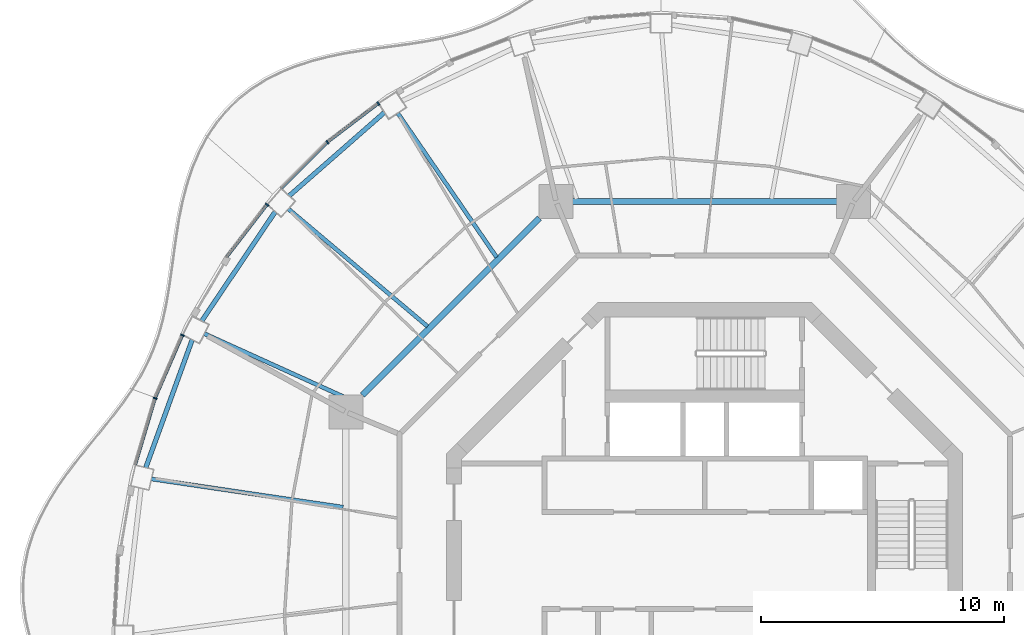
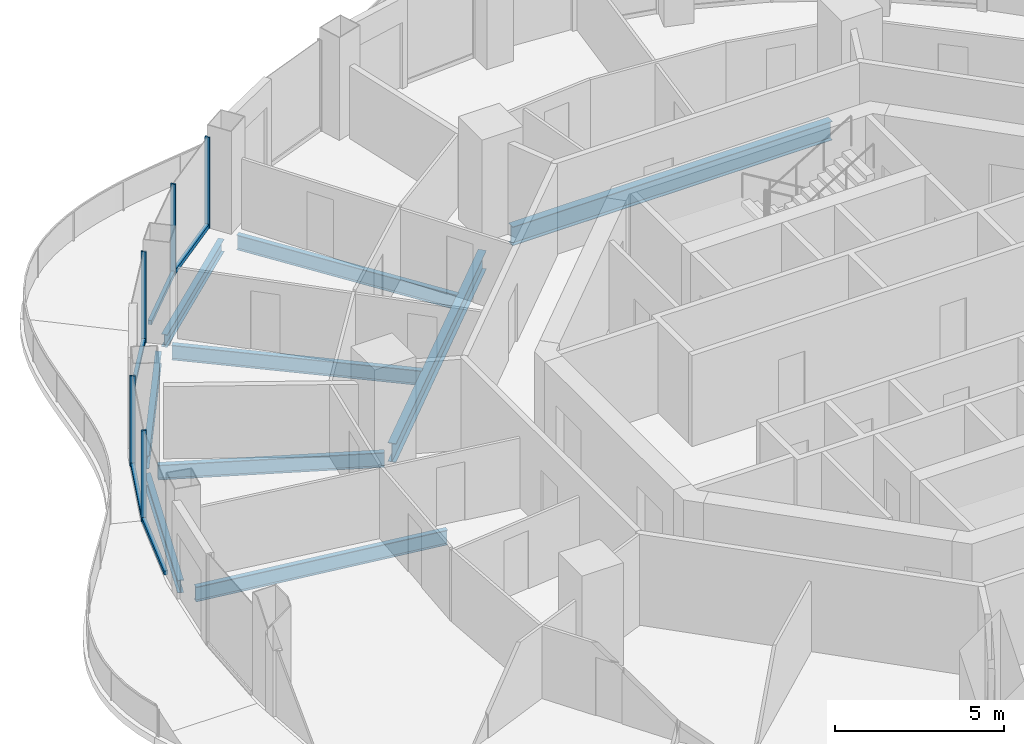
# One storey, part 5 of 17: 10 members, 9 beams, 5 elements without a shape of their own.
"""IFC4 building model written with IfcOpenShell, lengths in metres."""

from ifc_helpers import new_model, si_unit, direction, frame, origin, origin_2d, place, context, subcontext, project, spatial, rectangle, i_section, extrude, material, layer, layer_set, material_profile, profile_set, type_object, element, aggregate, save


model = new_model("IFC4")

# Units and contexts
model_context = context("Model", 3, precision=1e-05, world=origin(), true_north=direction((0.0, 1.0)))
body_context = subcontext(model_context, "Body", "Model", "MODEL_VIEW")
ifc_project = project(units=[si_unit("LENGTHUNIT", "METRE"), si_unit("AREAUNIT", "SQUARE_METRE"), si_unit("VOLUMEUNIT", "CUBIC_METRE"), si_unit("PLANEANGLEUNIT", "RADIAN"), si_unit("MASSUNIT", "GRAM", prefix="KILO")], contexts=[model_context])

# Site, building, storey
site_placement = place(None, origin())
site = spatial("IfcSite", under=ifc_project, at=site_placement, CompositionType="ELEMENT")
building_placement = place(site_placement, origin())
building = spatial("IfcBuilding", under=site, at=building_placement, Name="Nagisa Residences", CompositionType="ELEMENT")
storey_placement = place(building_placement, frame((0.0, 0.0, 295.5)))
storey = spatial("IfcBuildingStorey", under=building, at=storey_placement, Name="L75", CompositionType="ELEMENT", Elevation=295.5)

# Curtain wall, member
ifc_material_1 = material(Name="Concrete-coloured aluminium curtain wall system", Category="concrete")
ifc_layer = layer(ifc_material_1, 0.159912109375)
ifc_layer_set = layer_set([ifc_layer], Name="CW1 CURTAIN WALL")
curtain_wall_type = type_object("IfcCurtainWallType", Name="CW1 CURTAIN WALL", PredefinedType="NOTDEFINED", material=ifc_layer_set)
curtain_wall_1_placement = place(storey_placement, origin())
curtain_wall_1 = element("IfcCurtainWall", 1, at=curtain_wall_1_placement, inside=storey, type_object=curtain_wall_type, Name="cw:CW1:L75:16", PredefinedType="NOTDEFINED")
ifc_material_2 = material(Name="Concrete-coloured aluminium", Category="concrete")
ifc_material_profile_1 = material_profile(ifc_material_2, rectangle(XDim=0.159912109375, YDim=0.06005859375, at=origin_2d()), Name="CW1 MULLION 160x60")
ifc_profile_set_1 = profile_set([ifc_material_profile_1], Name="Concrete-coloured aluminium")
member_type_1 = type_object("IfcMemberType", Name="CW1 MULLION 160x60", PredefinedType="MULLION", material=ifc_profile_set_1)
member_1_placement = place(storey_placement, frame((-13.443603515625, 18.819580078125, 0.0), z_axis=(0.0, 0.0, 1.0), x_axis=(0.605255421737, -0.79603132756, 0.0)))
member_1 = element("IfcMember", 2, at=member_1_placement, type_object=member_type_1, Name="CW1 mullion", PredefinedType="MULLION", context=body_context, shape_type="SweptSolid", body=[
    extrude(rectangle(XDim=0.159912109375, YDim=0.06005859375, at=origin_2d()), origin(), (0.0, 0.0, 1.0), 3.280029296875),
])

curtain_wall_2_placement = place(storey_placement, origin())
curtain_wall_2 = element("IfcCurtainWall", 3, at=curtain_wall_2_placement, inside=storey, type_object=curtain_wall_type, Name="cw:CW1:L75:17", PredefinedType="NOTDEFINED")
member_2_placement = place(storey_placement, frame((-15.534912109375, 17.225341796875, 0.0), z_axis=(0.0, 0.0, 1.0), x_axis=(0.706376885714, -0.707835924016, 0.0)))
member_2 = element("IfcMember", 4, at=member_2_placement, type_object=member_type_1, Name="CW1 mullion", PredefinedType="MULLION", context=body_context, shape_type="SweptSolid", body=[
    extrude(rectangle(XDim=0.159912109375, YDim=0.06005859375, at=origin_2d()), origin(), (0.0, 0.0, 1.0), 3.280029296875),
])

curtain_wall_3_placement = place(storey_placement, origin())
curtain_wall_3 = element("IfcCurtainWall", 5, at=curtain_wall_3_placement, inside=storey, type_object=curtain_wall_type, Name="cw:CW1:L75:18", PredefinedType="NOTDEFINED")
member_3_placement = place(storey_placement, frame((-18.0244140625, 14.654296875, 0.0), z_axis=(0.0, 0.0, 1.0), x_axis=(0.792070340816, -0.610429828235, 0.0)))
member_3 = element("IfcMember", 6, at=member_3_placement, type_object=member_type_1, Name="CW1 mullion", PredefinedType="MULLION", context=body_context, shape_type="SweptSolid", body=[
    extrude(rectangle(XDim=0.159912109375, YDim=0.06005859375, at=origin_2d()), origin(), (0.0, 0.0, 1.0), 3.280029296875),
])

curtain_wall_4_placement = place(storey_placement, origin())
curtain_wall_4 = element("IfcCurtainWall", 7, at=curtain_wall_4_placement, inside=storey, type_object=curtain_wall_type, Name="cw:CW1:L75:20", PredefinedType="NOTDEFINED")
member_4_placement = place(storey_placement, frame((-21.5068359375, 9.280029296875, 0.0), z_axis=(0.0, 0.0, 1.0), x_axis=(0.917543276295, -0.397635934147, 0.0)))
member_4 = element("IfcMember", 8, at=member_4_placement, type_object=member_type_1, Name="CW1 mullion", PredefinedType="MULLION", context=body_context, shape_type="SweptSolid", body=[
    extrude(rectangle(XDim=0.159912109375, YDim=0.06005859375, at=origin_2d()), origin(), (0.0, 0.0, 1.0), 3.280029296875),
])

curtain_wall_5_placement = place(storey_placement, origin())
curtain_wall_5 = element("IfcCurtainWall", 9, at=curtain_wall_5_placement, inside=storey, type_object=curtain_wall_type, Name="cw:CW1:L75:21", PredefinedType="NOTDEFINED")
member_5_placement = place(storey_placement, frame((-22.630126953125, 6.680908203125, 0.0), z_axis=(0.0, 0.0, 1.0), x_axis=(0.958271310082, -0.285860274038, 0.0)))
member_5 = element("IfcMember", 10, at=member_5_placement, type_object=member_type_1, Name="CW1 mullion", PredefinedType="MULLION", context=body_context, shape_type="SweptSolid", body=[
    extrude(rectangle(XDim=0.159912109375, YDim=0.06005859375, at=origin_2d()), origin(), (0.0, 0.0, 1.0), 3.280029296875),
])

# Member
ifc_material_3 = material(Name="Concrete-coloured aluminium", Category="concrete")
ifc_material_profile_2 = material_profile(ifc_material_3, rectangle(XDim=0.1201171875, YDim=0.14990234375, at=origin_2d()), Name="CW1 TRANSOM 120x150")
ifc_profile_set_2 = profile_set([ifc_material_profile_2], Name="Concrete-coloured aluminium")
member_type_2 = type_object("IfcMemberType", Name="CW1 TRANSOM 120x150", PredefinedType="USERDEFINED", material=ifc_profile_set_2)
member_6_placement = place(storey_placement, frame((-13.419677734375, 18.837646484375, 0.074951171875), z_axis=(-0.796055284084, -0.605223912847, 0.0), x_axis=(0.605223912847, -0.796055284084, 0.0)))
member_6 = element("IfcMember", 11, at=member_6_placement, type_object=member_type_2, Name="CW1 transom", ObjectType="TRANSOM", PredefinedType="USERDEFINED", context=body_context, shape_type="SweptSolid", body=[
    extrude(rectangle(XDim=0.1201171875, YDim=0.14990234375, at=origin_2d()), origin(), (0.0, 0.0, 1.0), 2.640625),
])

aggregate(curtain_wall_1, [member_1, member_6])

member_7_placement = place(storey_placement, frame((-15.513671875, 17.24658203125, 0.074951171875), z_axis=(-0.707831739508, -0.706381078841, 0.0), x_axis=(0.706381078841, -0.707831739508, 0.0)))
member_7 = element("IfcMember", 12, at=member_7_placement, type_object=member_type_2, Name="CW1 transom", ObjectType="TRANSOM", PredefinedType="USERDEFINED", context=body_context, shape_type="SweptSolid", body=[
    extrude(rectangle(XDim=0.1201171875, YDim=0.14990234375, at=origin_2d()), origin(), (0.0, 0.0, 1.0), 2.692626953125),
])

aggregate(curtain_wall_2, [member_2, member_7])

member_8_placement = place(storey_placement, frame((-18.006103515625, 14.677978515625, 0.074951171875), z_axis=(-0.610432336622, -0.792068407656, 0.0), x_axis=(0.792068407656, -0.610432336622, 0.0)))
member_8 = element("IfcMember", 13, at=member_8_placement, type_object=member_type_2, Name="CW1 transom", ObjectType="TRANSOM", PredefinedType="USERDEFINED", context=body_context, shape_type="SweptSolid", body=[
    extrude(rectangle(XDim=0.1201171875, YDim=0.14990234375, at=origin_2d()), origin(), (0.0, 0.0, 1.0), 2.74609375),
])

aggregate(curtain_wall_3, [member_3, member_8])

member_9_placement = place(storey_placement, frame((-21.4951171875, 9.3076171875, 0.074951171875), z_axis=(-0.397597791596, -0.9175598052, 0.0), x_axis=(0.9175598052, -0.397597791596, 0.0)))
member_9 = element("IfcMember", 14, at=member_9_placement, type_object=member_type_2, Name="CW1 transom", ObjectType="TRANSOM", PredefinedType="USERDEFINED", context=body_context, shape_type="SweptSolid", body=[
    extrude(rectangle(XDim=0.1201171875, YDim=0.14990234375, at=origin_2d()), origin(), (0.0, 0.0, 1.0), 2.841064453125),
])

aggregate(curtain_wall_4, [member_4, member_9])

member_10_placement = place(storey_placement, frame((-22.62158203125, 6.709716796875, 0.074951171875), z_axis=(-0.285798286059, -0.958289799427, 0.0), x_axis=(0.958289799427, -0.285798286059, 0.0)))
member_10 = element("IfcMember", 15, at=member_10_placement, type_object=member_type_2, Name="CW1 transom", ObjectType="TRANSOM", PredefinedType="USERDEFINED", context=body_context, shape_type="SweptSolid", body=[
    extrude(rectangle(XDim=0.1201171875, YDim=0.14990234375, at=origin_2d()), origin(), (0.0, 0.0, 1.0), 2.877197265625),
])

aggregate(curtain_wall_5, [member_5, member_10])

# Beams
ifc_material_4 = material(Name="Steel ASTM A572 Gr 50", Category="steel")
ifc_material_profile_3 = material_profile(ifc_material_4, i_section(OverallWidth=0.2529296875, OverallDepth=0.677978515625, WebThickness=0.01171875, FlangeThickness=0.016357421875, at=origin_2d()), Name="W690x125")
ifc_profile_set_3 = profile_set([ifc_material_profile_3], Name="Steel ASTM A572 Gr 50")
beam_type_1 = type_object("IfcBeamType", Name="Inner ring beam W690x125", PredefinedType="BEAM", material=ifc_profile_set_3)
beam_1_placement = place(storey_placement, frame((5.44287109375, 14.781982421875, -0.59912109375), z_axis=(-1.0, 0.0, 0.0), x_axis=(0.0, -1.0, 0.0)))
element("IfcBeam", 16, at=beam_1_placement, inside=storey, type_object=beam_type_1, Name="beam:L75:ib2", PredefinedType="BEAM", context=body_context, shape_type="SweptSolid", body=[
    extrude(i_section(OverallWidth=0.2529296875, OverallDepth=0.677978515625, WebThickness=0.01171875, FlangeThickness=0.016357421875, at=origin_2d()), origin(), (0.0, 0.0, 1.0), 10.8857421875),
])
beam_2_placement = place(storey_placement, frame((-6.808837890625, 14.09619140625, -0.59912109375), z_axis=(-0.707106781187, -0.707106781187, 0.0), x_axis=(0.707106781187, -0.707106781187, 0.0)))
element("IfcBeam", 17, at=beam_2_placement, inside=storey, type_object=beam_type_1, Name="beam:L75:ib3", PredefinedType="BEAM", context=body_context, shape_type="SweptSolid", body=[
    extrude(i_section(OverallWidth=0.2529296875, OverallDepth=0.677978515625, WebThickness=0.01171875, FlangeThickness=0.016357421875, at=origin_2d()), origin(), (0.0, 0.0, 1.0), 10.305908203125),
])
ifc_material_5 = material(Name="Steel ASTM A572 Gr 50", Category="steel")
ifc_material_profile_4 = material_profile(ifc_material_5, i_section(OverallWidth=0.18994140625, OverallDepth=0.45703125, WebThickness=0.009033203125, FlangeThickness=0.014404296875, at=origin_2d()), Name="W460x74")
ifc_profile_set_4 = profile_set([ifc_material_profile_4], Name="Steel ASTM A572 Gr 50")
beam_type_2 = type_object("IfcBeamType", Name="Perimeter ring beam W460x74", PredefinedType="BEAM", material=ifc_profile_set_4)
beam_3_placement = place(storey_placement, frame((-13.186767578125, 18.45458984375, -0.488525390625), z_axis=(-0.752365189148, -0.658746250204, 0.0), x_axis=(0.658746250204, -0.752365189148, 0.0)))
element("IfcBeam", 18, at=beam_3_placement, inside=storey, type_object=beam_type_2, Name="beam:L75:pb09", PredefinedType="BEAM", context=body_context, shape_type="SweptSolid", body=[
    extrude(i_section(OverallWidth=0.18994140625, OverallDepth=0.45703125, WebThickness=0.009033203125, FlangeThickness=0.014404296875, at=origin_2d()), origin(), (0.0, 0.0, 1.0), 5.220947265625),
])
beam_4_placement = place(storey_placement, frame((-17.683349609375, 14.36962890625, -0.488525390625), z_axis=(-0.558035477156, -0.829817092036, 0.0), x_axis=(0.829817092036, -0.558035477156, 0.0)))
element("IfcBeam", 19, at=beam_4_placement, inside=storey, type_object=beam_type_2, Name="beam:L75:pb10", PredefinedType="BEAM", context=body_context, shape_type="SweptSolid", body=[
    extrude(i_section(OverallWidth=0.18994140625, OverallDepth=0.45703125, WebThickness=0.009033203125, FlangeThickness=0.014404296875, at=origin_2d()), origin(), (0.0, 0.0, 1.0), 5.431884765625),
])
beam_5_placement = place(storey_placement, frame((-21.104248046875, 9.094970703125, -0.488525390625), z_axis=(-0.341250304478, -0.9399724622, 0.0), x_axis=(0.9399724622, -0.341250304478, 0.0)))
element("IfcBeam", 20, at=beam_5_placement, inside=storey, type_object=beam_type_2, Name="beam:L75:pb11", PredefinedType="BEAM", context=body_context, shape_type="SweptSolid", body=[
    extrude(i_section(OverallWidth=0.18994140625, OverallDepth=0.45703125, WebThickness=0.009033203125, FlangeThickness=0.014404296875, at=origin_2d()), origin(), (0.0, 0.0, 1.0), 5.609619140625),
])
ifc_material_6 = material(Name="Steel ASTM A572 Gr 50", Category="steel")
ifc_material_profile_5 = material_profile(ifc_material_6, i_section(OverallWidth=0.166015625, OverallDepth=0.534912109375, WebThickness=0.01025390625, FlangeThickness=0.0166015625, at=origin_2d()), Name="W530x85")
ifc_profile_set_5 = profile_set([ifc_material_profile_5], Name="Steel ASTM A572 Gr 50")
beam_type_3 = type_object("IfcBeamType", Name="Radial beam W530x85", PredefinedType="BEAM", material=ifc_profile_set_5)
beam_6_placement = place(storey_placement, frame((-12.64501953125, 18.427490234375, -0.527587890625), z_axis=(0.565802292405, -0.824540942531, 0.0), x_axis=(0.824540942531, 0.565802292405, 0.0)))
element("IfcBeam", 21, at=beam_6_placement, inside=storey, type_object=beam_type_3, Name="beam:L75:rb09", PredefinedType="BEAM", context=body_context, shape_type="SweptSolid", body=[
    extrude(i_section(OverallWidth=0.166015625, OverallDepth=0.534912109375, WebThickness=0.01025390625, FlangeThickness=0.0166015625, at=origin_2d()), origin(), (0.0, 0.0, 1.0), 7.204345703125),
])
beam_7_placement = place(storey_placement, frame((-17.15087890625, 14.484375, -0.527587890625), z_axis=(0.764006403763, -0.645208660054, 0.0), x_axis=(0.645208660054, 0.764006403763, 0.0)))
element("IfcBeam", 22, at=beam_7_placement, inside=storey, type_object=beam_type_3, Name="beam:L75:rb10", PredefinedType="BEAM", context=body_context, shape_type="SweptSolid", body=[
    extrude(i_section(OverallWidth=0.166015625, OverallDepth=0.534912109375, WebThickness=0.01025390625, FlangeThickness=0.0166015625, at=origin_2d()), origin(), (0.0, 0.0, 1.0), 7.50732421875),
])
beam_8_placement = place(storey_placement, frame((-20.610107421875, 9.34521484375, -0.527587890625), z_axis=(0.910751667619, -0.412954476824, 0.0), x_axis=(0.412954476824, 0.910751667619, 0.0)))
element("IfcBeam", 23, at=beam_8_placement, inside=storey, type_object=beam_type_3, Name="beam:L75:rb11", PredefinedType="BEAM", context=body_context, shape_type="SweptSolid", body=[
    extrude(i_section(OverallWidth=0.166015625, OverallDepth=0.534912109375, WebThickness=0.01025390625, FlangeThickness=0.0166015625, at=origin_2d()), origin(), (0.0, 0.0, 1.0), 6.721923828125),
])
beam_9_placement = place(storey_placement, frame((-22.788818359375, 3.359375, -0.527587890625), z_axis=(0.989309244243, -0.145832846968, 0.0), x_axis=(0.145832846968, 0.989309244243, 0.0)))
element("IfcBeam", 24, at=beam_9_placement, inside=storey, type_object=beam_type_3, Name="beam:L75:rb12", PredefinedType="BEAM", context=body_context, shape_type="SweptSolid", body=[
    extrude(i_section(OverallWidth=0.166015625, OverallDepth=0.534912109375, WebThickness=0.01025390625, FlangeThickness=0.0166015625, at=origin_2d()), origin(), (0.0, 0.0, 1.0), 7.985595703125),
])

save(model, "model.ifc")
